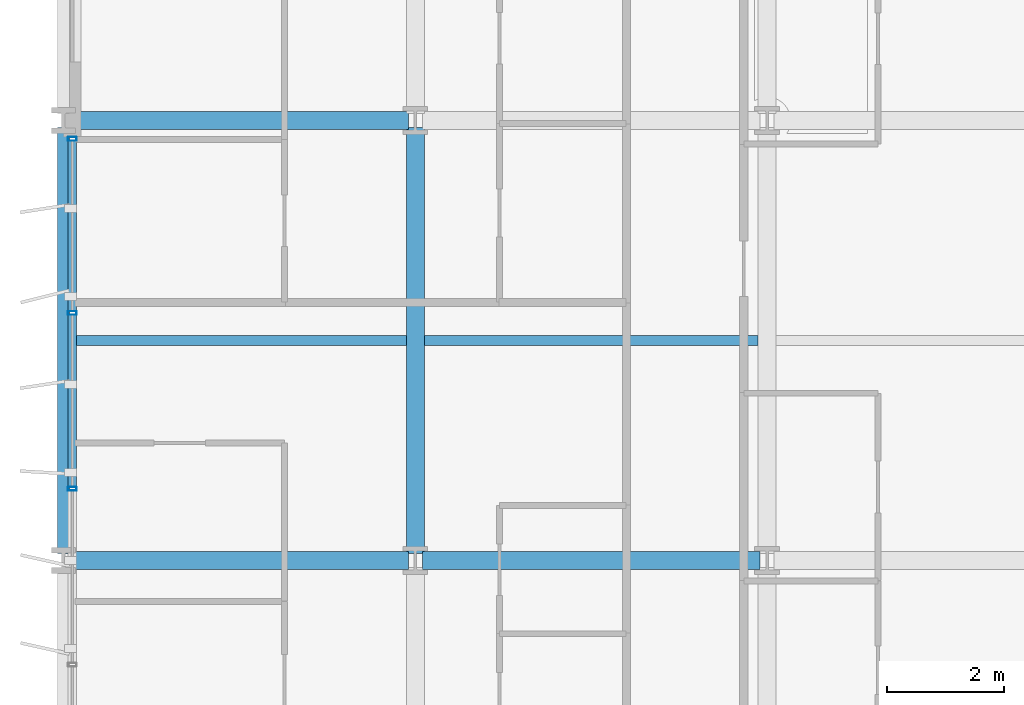
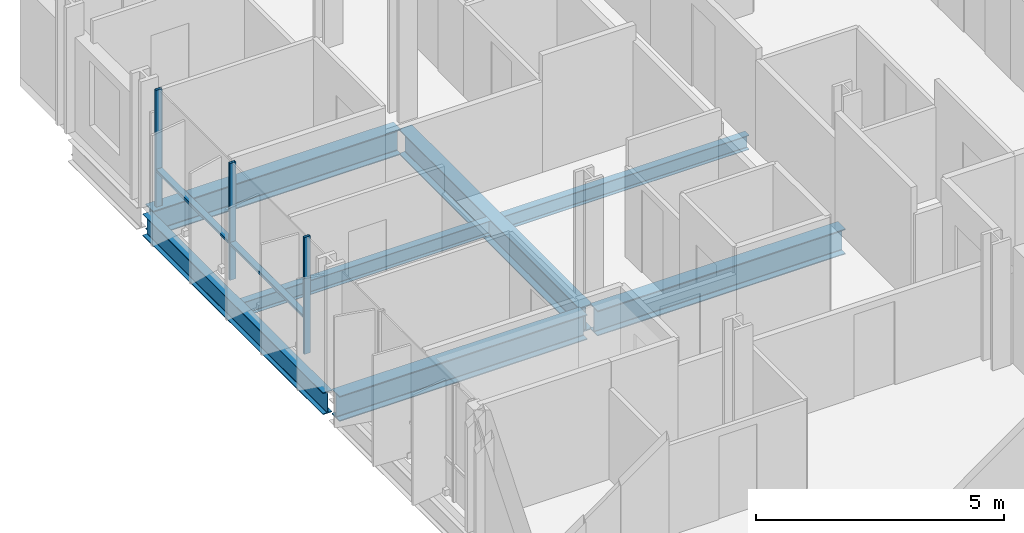
# One storey, part 5 of 38: 7 beams, 5 members, 1 element without a shape of its own.
"""IFC4 building model written with IfcOpenShell, lengths in metres."""

import ifcopenshell
import ifcopenshell.guid

model = None  # the IFC model being written
_history = None  # IfcOwnerHistory: only IFC2X3 demands one
_inside = {}  # id of a spatial element -> (the spatial element, [elements in it])
_under = {}  # id of a project, library or spatial element -> (it, [spatial elements below it])
_declared = {}  # id of a project -> (the project, [libraries it declares])
_typed = {}  # id of a type object -> (the type object, [elements of that type])
_made_of = {}  # id of a material, layer set ... -> (it, [elements and type objects made of it])


def new_model(schema):
    """Start an empty IFC model of exactly this schema.

    Asked for "IFC4X3", IfcOpenShell would pick the latest addendum, in which some entities
    have other attributes; the version numbers below select the first issue.
    IFC2X3 requires an IfcOwnerHistory on every rooted entity: one is made here for all.
    """
    global model, _history
    if schema == "IFC4X3":
        model = ifcopenshell.file(schema_version=(4, 3, 0, 0))
    else:
        model = ifcopenshell.file(schema=schema)
    _inside.clear()
    _under.clear()
    _declared.clear()
    _typed.clear()
    _made_of.clear()
    _history = None
    if model.schema == "IFC2X3":
        org = make("IfcOrganization", Name="unknown")
        user = make(
            "IfcPersonAndOrganization",
            ThePerson=make("IfcPerson", FamilyName="unknown"),
            TheOrganization=org,
        )
        app = make(
            "IfcApplication",
            ApplicationDeveloper=org,
            Version="unknown",
            ApplicationFullName="unknown",
            ApplicationIdentifier="unknown",
        )
        _history = make(
            "IfcOwnerHistory",
            OwningUser=user,
            OwningApplication=app,
            ChangeAction="ADDED",
            CreationDate=0,
        )
    return model


def make(cls, **values):
    """One entity of the class cls with the attributes given. An attribute that is None is left unset."""
    return model.create_entity(
        cls, **{name: value for name, value in values.items() if value is not None}
    )


def rooted(cls, **values):
    """An entity with a GlobalId (a new one), such as an element, a storey or a relation."""
    return make(cls, GlobalId=ifcopenshell.guid.new(), OwnerHistory=_history, **values)


def si_unit(unit_type, name, prefix=None):
    """IfcSIUnit, for example si_unit("LENGTHUNIT", "METRE", prefix="MILLI")."""
    return make("IfcSIUnit", UnitType=unit_type, Prefix=prefix, Name=name)


def assignment(units):
    """IfcUnitAssignment: the units of a project."""
    return None if units is None else make("IfcUnitAssignment", Units=units)


def point(xyz):
    """IfcCartesianPoint."""
    return None if xyz is None else make("IfcCartesianPoint", Coordinates=xyz)


def direction(xyz):
    """IfcDirection."""
    return None if xyz is None else make("IfcDirection", DirectionRatios=xyz)


def frame(location, z_axis=None, x_axis=None):
    """IfcAxis2Placement3D, a coordinate frame: its origin and axes. An axis left out is left unset."""
    return make(
        "IfcAxis2Placement3D",
        Location=point(location),
        Axis=direction(z_axis),
        RefDirection=direction(x_axis),
    )


def frame_2d(location, x_axis=None):
    """IfcAxis2Placement2D, a coordinate frame in the plane: its origin and x axis."""
    return make(
        "IfcAxis2Placement2D", Location=point(location), RefDirection=direction(x_axis)
    )


def origin():
    """The frame at (0, 0, 0) with its axes left unset."""
    return frame((0.0, 0.0, 0.0))


def origin_2d():
    """The frame at (0, 0) in the plane with its x axis left unset."""
    return frame_2d((0.0, 0.0))


def place(relative_to, where):
    """IfcLocalPlacement: puts the frame where relative to a parent placement (None: the world)."""
    return make(
        "IfcLocalPlacement", PlacementRelTo=relative_to, RelativePlacement=where
    )


def context(
    kind, dimensions, precision=None, world=None, true_north=None, identifier=None
):
    """IfcGeometricRepresentationContext, for example the 3D "Model" context."""
    return make(
        "IfcGeometricRepresentationContext",
        ContextIdentifier=identifier,
        ContextType=kind,
        CoordinateSpaceDimension=dimensions,
        Precision=precision,
        WorldCoordinateSystem=world,
        TrueNorth=true_north,
    )


def subcontext(parent, identifier, kind, view, scale=None):
    """IfcGeometricRepresentationSubContext, for example "Body" below "Model"."""
    return make(
        "IfcGeometricRepresentationSubContext",
        ContextIdentifier=identifier,
        ContextType=kind,
        ParentContext=parent,
        TargetScale=scale,
        TargetView=view,
    )


def project(units=None, contexts=None):
    """IfcProject with its units and contexts."""
    return rooted(
        "IfcProject",
        Name="project",
        RepresentationContexts=contexts,
        UnitsInContext=assignment(units),
    )


def spatial(cls, under=None, at=None, **own):
    """A site, building, storey or space (cls), placed at a placement, below another one or the project."""
    s = rooted(cls, ObjectPlacement=at, **own)
    if under is not None:
        _under.setdefault(under.id(), (under, []))[1].append(s)
    return s


def profile(cls, at=None, kind="AREA", **sizes):
    """A parametric profile (cls). Its sizes go by their IFC names, for example OverallWidth=200.0."""
    return make(cls, ProfileType=kind, Position=at, **sizes)


def hollow_rectangle(**sizes):
    """IfcRectangleHollowProfileDef."""
    return profile("IfcRectangleHollowProfileDef", **sizes)


def i_section(**sizes):
    """IfcIShapeProfileDef."""
    return profile("IfcIShapeProfileDef", **sizes)


def extrude(swept, where, along, depth):
    """IfcExtrudedAreaSolid: the profile swept, set in the frame where, extruded along a direction by depth."""
    return make(
        "IfcExtrudedAreaSolid",
        SweptArea=swept,
        Position=where,
        ExtrudedDirection=direction(along),
        Depth=depth,
    )


def shape(context_of_items, identifier, shape_type, items):
    """IfcShapeRepresentation: the items that make up one representation, for example the "Body"."""
    return make(
        "IfcShapeRepresentation",
        ContextOfItems=context_of_items,
        RepresentationIdentifier=identifier,
        RepresentationType=shape_type,
        Items=items,
    )


def material(Name=None, Category=None):
    """IfcMaterial."""
    return make("IfcMaterial", Name=Name, Category=Category)


def layer(
    of_material, thickness, ventilated=None, Name=None, Category=None, Priority=None
):
    """IfcMaterialLayer: one layer of a wall or slab, of a material (None: an air gap)."""
    return make(
        "IfcMaterialLayer",
        Material=of_material,
        LayerThickness=thickness,
        IsVentilated=ventilated,
        Name=Name,
        Category=Category,
        Priority=Priority,
    )


def layer_set(layers, Name=None):
    """IfcMaterialLayerSet."""
    return make("IfcMaterialLayerSet", MaterialLayers=layers, LayerSetName=Name)


def material_profile(
    of_material, cross_section, Name=None, Category=None, Priority=None
):
    """IfcMaterialProfile: a cross section and its material."""
    return make(
        "IfcMaterialProfile",
        Name=Name,
        Material=of_material,
        Profile=cross_section,
        Priority=Priority,
        Category=Category,
    )


def profile_set(profiles, Name=None, composite=None):
    """IfcMaterialProfileSet."""
    return make(
        "IfcMaterialProfileSet",
        Name=Name,
        MaterialProfiles=profiles,
        CompositeProfile=composite,
    )


def made_of(thing, what):
    """Note that an element or type object is made of a material, layer set ...; save() writes the relation."""
    if what is not None:
        _made_of.setdefault(what.id(), (what, []))[1].append(thing)
    return thing


def type_object(cls, material=None, **own):
    """A type object (cls), such as IfcWallType, which elements share."""
    return made_of(rooted(cls, **own), material)


def element(
    cls,
    number,
    at=None,
    inside=None,
    cuts=None,
    type_object=None,
    material=None,
    context=None,
    identifier="Body",
    shape_type=None,
    held_by="IfcProductDefinitionShape",
    body=None,
    shapes=None,
    **own,
):
    """One element of the class cls, such as IfcWall. Its Tag is "e" and its number.

    at: its placement. inside: the storey or other place that contains it. cuts: it is an
    opening in that element (IfcRelVoidsElement). A single representation is given by context,
    identifier, shape_type and body (its items); several are given by shapes. held_by: the class
    of the entity that holds the representations. save() writes the other relations.
    """
    e = rooted(cls, Tag="e%d" % number, ObjectPlacement=at, **own)
    if body is not None:
        shapes = [shape(context, identifier, shape_type, body)]
    if shapes is not None:
        e.Representation = make(held_by, Representations=shapes)
    if inside is not None:
        _inside.setdefault(inside.id(), (inside, []))[1].append(e)
    if cuts is not None:
        rooted(
            "IfcRelVoidsElement", RelatingBuildingElement=cuts, RelatedOpeningElement=e
        )
    if type_object is not None:
        _typed.setdefault(type_object.id(), (type_object, []))[1].append(e)
    return made_of(e, material)


def aggregate(whole, parts):
    """IfcRelAggregates: a whole, such as a stair, and the parts it consists of."""
    return rooted("IfcRelAggregates", RelatingObject=whole, RelatedObjects=parts)


def save(model, path):
    """Write the relations noted so far, then the file.

    IfcRelAggregates (storeys below a building ...), IfcRelContainedInSpatialStructure (elements
    in a storey), IfcRelDefinesByType, IfcRelAssociatesMaterial and IfcRelDeclares: one each for
    every whole, place, type object, material and project.
    """
    for whole, parts in _under.values():
        aggregate(whole, parts)
    for where, things in _inside.values():
        rooted(
            "IfcRelContainedInSpatialStructure",
            RelatedElements=things,
            RelatingStructure=where,
        )
    for kind, things in _typed.values():
        rooted("IfcRelDefinesByType", RelatedObjects=things, RelatingType=kind)
    for what, things in _made_of.values():
        rooted("IfcRelAssociatesMaterial", RelatedObjects=things, RelatingMaterial=what)
    for by, libraries in _declared.values():
        rooted("IfcRelDeclares", RelatingContext=by, RelatedDefinitions=libraries)
    model.write(path)


model = new_model("IFC4")

# Units and contexts
model_context = context("Model", 3, precision=1e-05, world=origin(), true_north=direction((0.0, 1.0)))
body_context = subcontext(model_context, "Body", "Model", "MODEL_VIEW")
ifc_project = project(units=[si_unit("LENGTHUNIT", "METRE"), si_unit("AREAUNIT", "SQUARE_METRE"), si_unit("VOLUMEUNIT", "CUBIC_METRE"), si_unit("PLANEANGLEUNIT", "RADIAN"), si_unit("MASSUNIT", "GRAM", prefix="KILO")], contexts=[model_context])

# Site, building, storey
site_placement = place(None, origin())
site = spatial("IfcSite", under=ifc_project, at=site_placement, CompositionType="ELEMENT")
building_placement = place(site_placement, origin())
building = spatial("IfcBuilding", under=site, at=building_placement, Name="Brevholm Reach", CompositionType="ELEMENT")
storey_placement = place(building_placement, frame((0.0, 0.0, 59.0)))
storey = spatial("IfcBuildingStorey", under=building, at=storey_placement, Name="L16", CompositionType="ELEMENT", Elevation=59.0)

# Beams
ifc_material_1 = material(Name="Structural Steel S355J2", Category="steel")
ifc_material_profile_1 = material_profile(ifc_material_1, i_section(OverallWidth=0.17138671875, OverallDepth=0.35498046875, WebThickness=0.00732421875, FlangeThickness=0.011474609375, FilletRadius=0.01025390625, at=origin_2d()), Name="UKB 356x171x51")
ifc_profile_set_1 = profile_set([ifc_material_profile_1], Name="Structural Steel S355J2")
beam_type_1 = type_object("IfcBeamType", Name="BM-B356", PredefinedType="BEAM", material=ifc_profile_set_1)
beam_1_placement = place(storey_placement, frame((0.10546875, 19.75, -0.407470703125), z_axis=(1.0, 0.0, 0.0), x_axis=(0.0, 1.0, 0.0)))
element("IfcBeam", 1, at=beam_1_placement, inside=storey, type_object=beam_type_1, Name="L16 Composite Secondary Floor Beam", PredefinedType="BEAM", context=body_context, shape_type="SweptSolid", body=[
    extrude(i_section(OverallWidth=0.17138671875, OverallDepth=0.35498046875, WebThickness=0.00732421875, FlangeThickness=0.011474609375, FilletRadius=0.01025390625, at=origin_2d()), origin(), (0.0, 0.0, 1.0), 5.740966796875),
])
beam_2_placement = place(storey_placement, frame((6.153564453125, 19.75, -0.407470703125), z_axis=(1.0, 0.0, 0.0), x_axis=(0.0, 1.0, 0.0)))
element("IfcBeam", 2, at=beam_2_placement, inside=storey, type_object=beam_type_1, Name="L16 Composite Secondary Floor Beam", PredefinedType="BEAM", context=body_context, shape_type="SweptSolid", body=[
    extrude(i_section(OverallWidth=0.17138671875, OverallDepth=0.35498046875, WebThickness=0.00732421875, FlangeThickness=0.011474609375, FilletRadius=0.01025390625, at=origin_2d()), origin(), (0.0, 0.0, 1.0), 5.69287109375),
])
ifc_material_2 = material(Name="Structural Steel S355J2", Category="steel")
ifc_material_profile_2 = material_profile(ifc_material_2, i_section(OverallWidth=0.210693359375, OverallDepth=0.53955078125, WebThickness=0.01171875, FlangeThickness=0.018798828125, FilletRadius=0.0126953125, at=origin_2d()), Name="UKB 533x210x109")
ifc_profile_set_2 = profile_set([ifc_material_profile_2], Name="Structural Steel S355J2")
beam_type_2 = type_object("IfcBeamType", Name="BM-SP539", PredefinedType="SPANDREL", material=ifc_profile_set_2)
beam_3_placement = place(storey_placement, frame((0.0, 16.1201171875, -0.499755859375), z_axis=(0.0, 1.0, 0.0), x_axis=(-1.0, 0.0, 0.0)))
element("IfcBeam", 3, at=beam_3_placement, inside=storey, type_object=beam_type_2, Name="L16 SP-01B Framing Beam", PredefinedType="SPANDREL", context=body_context, shape_type="SweptSolid", body=[
    extrude(i_section(OverallWidth=0.210693359375, OverallDepth=0.53955078125, WebThickness=0.01171875, FlangeThickness=0.018798828125, FilletRadius=0.0126953125, at=origin_2d()), origin(), (0.0, 0.0, 1.0), 7.259765625),
])
ifc_material_3 = material(Name="Structural Steel S355J2", Category="steel")
ifc_material_profile_3 = material_profile(ifc_material_3, i_section(OverallWidth=0.30712890625, OverallDepth=0.6201171875, WebThickness=0.01416015625, FlangeThickness=0.023681640625, FilletRadius=0.0166015625, at=origin_2d()), Name="UKB 610x305x179")
ifc_profile_set_3 = profile_set([ifc_material_profile_3], Name="Structural Steel S355J2")
beam_type_3 = type_object("IfcBeamType", Name="BM-UKB610H", PredefinedType="USERDEFINED", material=ifc_profile_set_3)
for number, where, z_axis, x_axis, name in (
    (4, (0.1201171875, 16.0, -0.5400390625), (1.0, 0.0, 0.0), (0.0, 1.0, 0.0), "L16 G-06 Framing Beam"),
    (5, (6.1201171875, 16.0, -0.5400390625), (1.0, 0.0, 0.0), (0.0, 1.0, 0.0), "L16 G-06 Framing Beam"),
    (6, (0.1201171875, 23.5, -0.5400390625), (1.0, 0.0, 0.0), (0.0, 1.0, 0.0), "L16 G-06 Framing Beam"),
):
    element("IfcBeam", number, at=place(storey_placement, frame(where, z_axis=z_axis, x_axis=x_axis)), inside=storey, type_object=beam_type_3, Name=name, ObjectType="GIRDER", PredefinedType="USERDEFINED", context=body_context, shape_type="SweptSolid", body=[
        extrude(i_section(OverallWidth=0.30712890625, OverallDepth=0.6201171875, WebThickness=0.01416015625, FlangeThickness=0.023681640625, FilletRadius=0.0166015625, at=origin_2d()), origin(), (0.0, 0.0, 1.0), 5.759765625),
    ])
beam_4_placement = place(storey_placement, frame((6.0, 16.1201171875, -0.5400390625), z_axis=(0.0, 1.0, 0.0), x_axis=(-1.0, 0.0, 0.0)))
element("IfcBeam", 7, at=beam_4_placement, inside=storey, type_object=beam_type_3, Name="L16 G-06 Framing Beam", ObjectType="GIRDER", PredefinedType="USERDEFINED", context=body_context, shape_type="SweptSolid", body=[
    extrude(i_section(OverallWidth=0.30712890625, OverallDepth=0.6201171875, WebThickness=0.01416015625, FlangeThickness=0.023681640625, FilletRadius=0.0166015625, at=origin_2d()), origin(), (0.0, 0.0, 1.0), 7.259765625),
])

# Curtain wall, members
ifc_material_4 = material(Name="Dark Anodised Aluminium 6063-T6 and Solar-Control Glass", Category="aluminium")
ifc_layer = layer(ifc_material_4, 0.14990234375)
ifc_layer_set = layer_set([ifc_layer], Name="Dark Anodised Aluminium 6063-T6 and Solar-Control Glass")
curtain_wall_type = type_object("IfcCurtainWallType", Name="CW-01", PredefinedType="NOTDEFINED", material=ifc_layer_set)
curtain_wall_placement = place(storey_placement, origin())
curtain_wall = element("IfcCurtainWall", 8, at=curtain_wall_placement, inside=storey, type_object=curtain_wall_type, Name="L16 Curtain Wall CW-01", PredefinedType="NOTDEFINED")
ifc_material_5 = material(Name="Dark Anodised Aluminium 6063-T6", Category="aluminium")
ifc_material_profile_4 = material_profile(ifc_material_5, hollow_rectangle(XDim=0.06494140625, YDim=0.14990234375, WallThickness=0.0048828125, InnerFilletRadius=0.0048828125, OuterFilletRadius=0.010009765625, at=origin_2d()), Name="RHS 150x65x5")
ifc_profile_set_4 = profile_set([ifc_material_profile_4], Name="Dark Anodised Aluminium 6063-T6")
member_type_1 = type_object("IfcMemberType", Name="CWM-150", PredefinedType="MULLION", material=ifc_profile_set_4)
member_1_placement = place(storey_placement, frame((0.14990234375, 23.1875, 0.0), z_axis=(0.0, 0.0, 1.0), x_axis=(0.0, -1.0, 0.0)))
member_1 = element("IfcMember", 9, at=member_1_placement, type_object=member_type_1, Name="CM-150 Mullion 1", PredefinedType="MULLION", context=body_context, shape_type="SweptSolid", body=[
    extrude(hollow_rectangle(XDim=0.06494140625, YDim=0.14990234375, WallThickness=0.0048828125, InnerFilletRadius=0.0048828125, OuterFilletRadius=0.010009765625, at=origin_2d()), origin(), (0.0, 0.0, 1.0), 2.8701171875),
])
member_2_placement = place(storey_placement, frame((0.14990234375, 20.219970703125, 0.0), z_axis=(0.0, 0.0, 1.0), x_axis=(0.0, -1.0, 0.0)))
member_2 = element("IfcMember", 10, at=member_2_placement, type_object=member_type_1, Name="CM-150 Mullion 2", PredefinedType="MULLION", context=body_context, shape_type="SweptSolid", body=[
    extrude(hollow_rectangle(XDim=0.06494140625, YDim=0.14990234375, WallThickness=0.0048828125, InnerFilletRadius=0.0048828125, OuterFilletRadius=0.010009765625, at=origin_2d()), origin(), (0.0, 0.0, 1.0), 2.8701171875),
])
member_3_placement = place(storey_placement, frame((0.14990234375, 17.219970703125, 0.0), z_axis=(0.0, 0.0, 1.0), x_axis=(0.0, -1.0, 0.0)))
member_3 = element("IfcMember", 11, at=member_3_placement, type_object=member_type_1, Name="CM-150 Mullion 3", PredefinedType="MULLION", context=body_context, shape_type="SweptSolid", body=[
    extrude(hollow_rectangle(XDim=0.06494140625, YDim=0.14990234375, WallThickness=0.0048828125, InnerFilletRadius=0.0048828125, OuterFilletRadius=0.010009765625, at=origin_2d()), origin(), (0.0, 0.0, 1.0), 2.8701171875),
])
ifc_material_6 = material(Name="Dark Anodised Aluminium 6063-T6", Category="aluminium")
ifc_material_profile_5 = material_profile(ifc_material_6, hollow_rectangle(XDim=0.06494140625, YDim=0.14990234375, WallThickness=0.0048828125, InnerFilletRadius=0.0048828125, OuterFilletRadius=0.010009765625, at=origin_2d()), Name="RHS 150x65x5")
ifc_profile_set_5 = profile_set([ifc_material_profile_5], Name="Dark Anodised Aluminium 6063-T6")
member_type_2 = type_object("IfcMemberType", Name="CWT-150", PredefinedType="NOTDEFINED", material=ifc_profile_set_5)
member_4_placement = place(storey_placement, frame((0.14990234375, 23.155029296875, 0.89990234375), z_axis=(0.0, -1.0, 0.0), x_axis=(0.0, 0.0, 1.0)))
member_4 = element("IfcMember", 12, at=member_4_placement, type_object=member_type_2, Name="CT-150 Transom 1.1", ObjectType="TRANSOM", PredefinedType="USERDEFINED", context=body_context, shape_type="SweptSolid", body=[
    extrude(hollow_rectangle(XDim=0.06494140625, YDim=0.14990234375, WallThickness=0.0048828125, InnerFilletRadius=0.0048828125, OuterFilletRadius=0.010009765625, at=origin_2d()), origin(), (0.0, 0.0, 1.0), 2.902587890625),
])
member_5_placement = place(storey_placement, frame((0.14990234375, 20.1875, 0.89990234375), z_axis=(0.0, -1.0, 0.0), x_axis=(0.0, 0.0, 1.0)))
member_5 = element("IfcMember", 13, at=member_5_placement, type_object=member_type_2, Name="CT-150 Transom 2.1", ObjectType="TRANSOM", PredefinedType="USERDEFINED", context=body_context, shape_type="SweptSolid", body=[
    extrude(hollow_rectangle(XDim=0.06494140625, YDim=0.14990234375, WallThickness=0.0048828125, InnerFilletRadius=0.0048828125, OuterFilletRadius=0.010009765625, at=origin_2d()), origin(), (0.0, 0.0, 1.0), 2.93505859375),
])
aggregate(curtain_wall, [member_1, member_2, member_3, member_4, member_5])

save(model, "model.ifc")
